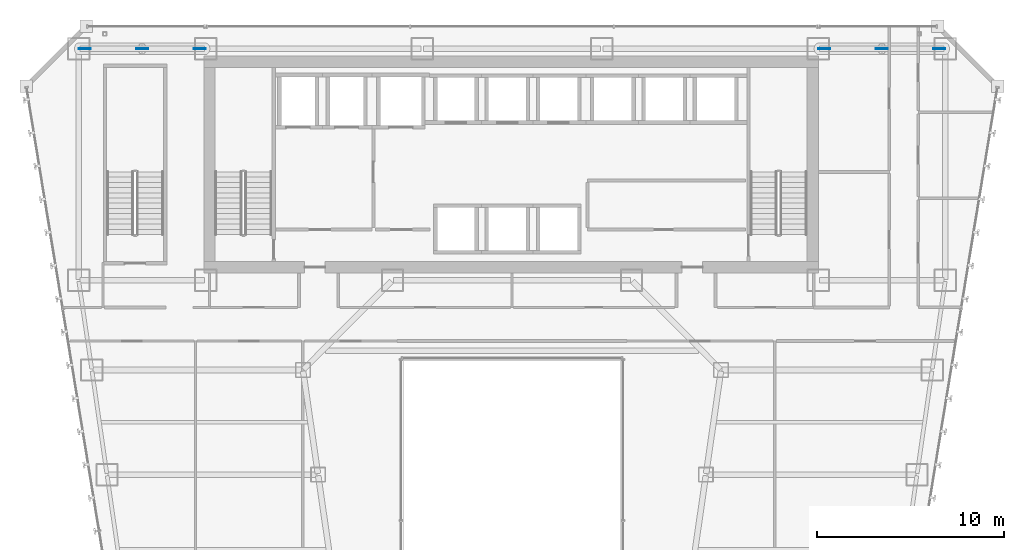
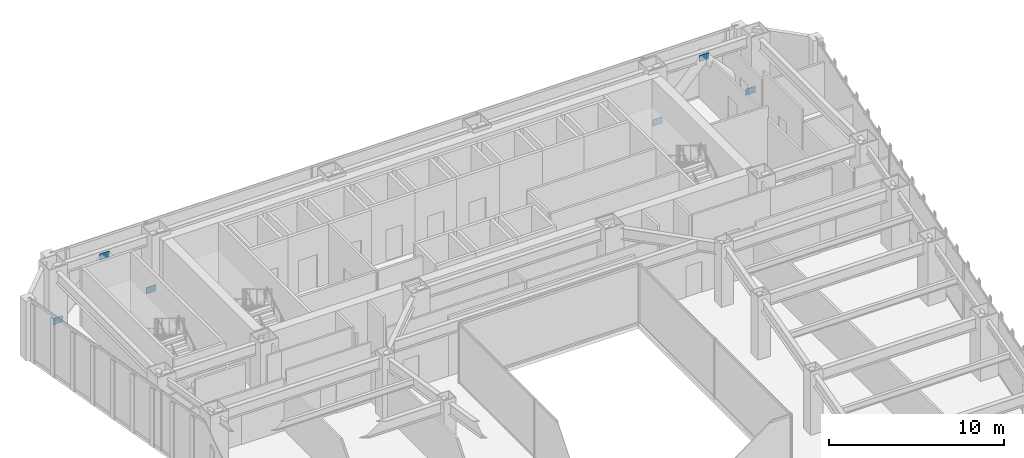
# One storey, part 35 of 47: 6 plates.
"""IFC4 building model written with IfcOpenShell, lengths in metres."""

from ifc_helpers import new_model, si_unit, direction, frame, origin, origin_2d, place, context, subcontext, project, spatial, rectangle, extrude, material, layer, layer_set, type_object, element, save


model = new_model("IFC4")

# Units and contexts
model_context = context("Model", 3, precision=1e-05, world=origin(), true_north=direction((0.0, 1.0)))
body_context = subcontext(model_context, "Body", "Model", "MODEL_VIEW")
ifc_project = project(units=[si_unit("LENGTHUNIT", "METRE"), si_unit("AREAUNIT", "SQUARE_METRE"), si_unit("VOLUMEUNIT", "CUBIC_METRE"), si_unit("PLANEANGLEUNIT", "RADIAN"), si_unit("MASSUNIT", "GRAM", prefix="KILO")], contexts=[model_context])

# Site, building, storey
site_placement = place(None, origin())
site = spatial("IfcSite", under=ifc_project, at=site_placement, CompositionType="ELEMENT")
building_placement = place(site_placement, origin())
building = spatial("IfcBuilding", under=site, at=building_placement, Name="Saevonmaru Cultural Tower", CompositionType="ELEMENT")
storey_placement = place(building_placement, frame((0.0, 0.0, 42.800048828125)))
storey = spatial("IfcBuildingStorey", under=building, at=storey_placement, Name="L08", CompositionType="ELEMENT", Elevation=42.800048828125)

# Plates
ifc_material = material(Name="Steel HSA600 (600 MPa)", Category="steel")
ifc_layer = layer(ifc_material, 0.0400390625, Name="Steel HSA600 (600 MPa)")
ifc_layer_set = layer_set([ifc_layer], Name="Steel HSA600 (600 MPa)")
plate_type = type_object("IfcPlateType", Name="PL-GUSSET-EXT", PredefinedType="USERDEFINED", material=ifc_layer_set)
for number, where, z_axis, x_axis, name in (
    (1, (10.199951171875, 54.800048828125, 3.449951171875), (0.0, 0.0, 1.0), (1.0, 0.0, 0.0), "L08 Perimeter Tube Gusset Plate"),
    (2, (7.1201171875, 54.800048828125, 0.02001953125), (0.0, 0.0, 1.0), (1.0, 0.0, 0.0), "L08 Perimeter Tube Gusset Plate"),
    (3, (13.280029296875, 54.800048828125, 0.02001953125), (0.0, 0.0, 1.0), (1.0, 0.0, 0.0), "L08 Perimeter Tube Gusset Plate"),
    (4, (49.800048828125, 54.800048828125, 3.449951171875), (0.0, 0.0, 1.0), (1.0, 0.0, 0.0), "L08 Perimeter Tube Gusset Plate"),
    (5, (46.719970703125, 54.800048828125, 0.02001953125), (0.0, 0.0, 1.0), (1.0, 0.0, 0.0), "L08 Perimeter Tube Gusset Plate"),
    (6, (52.8798828125, 54.800048828125, 0.02001953125), (0.0, 0.0, 1.0), (1.0, 0.0, 0.0), "L08 Perimeter Tube Gusset Plate"),
):
    element("IfcPlate", number, at=place(storey_placement, frame(where, z_axis=z_axis, x_axis=x_axis)), inside=storey, type_object=plate_type, Name=name, ObjectType="GUSSET_PLATE", PredefinedType="USERDEFINED", context=body_context, shape_type="SweptSolid", body=[
        extrude(rectangle(XDim=0.639892578125, YDim=0.0400390625, at=origin_2d()), origin(), (0.0, 0.0, 1.0), 0.43994140625),
    ])

save(model, "model.ifc")
